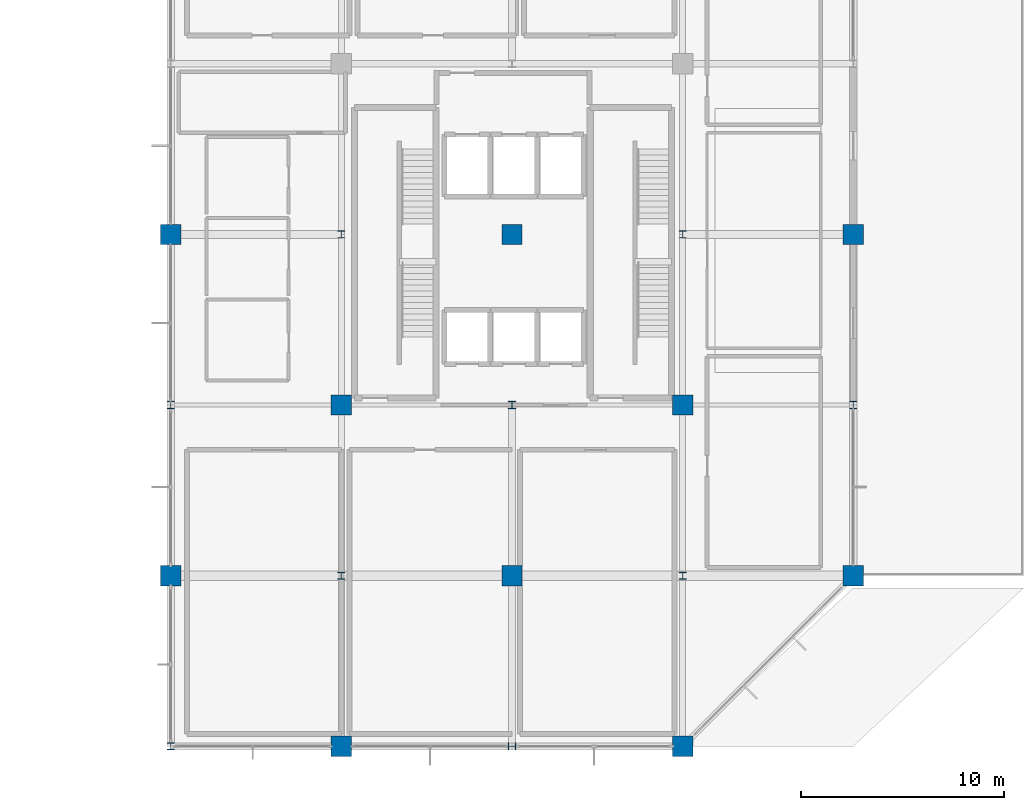
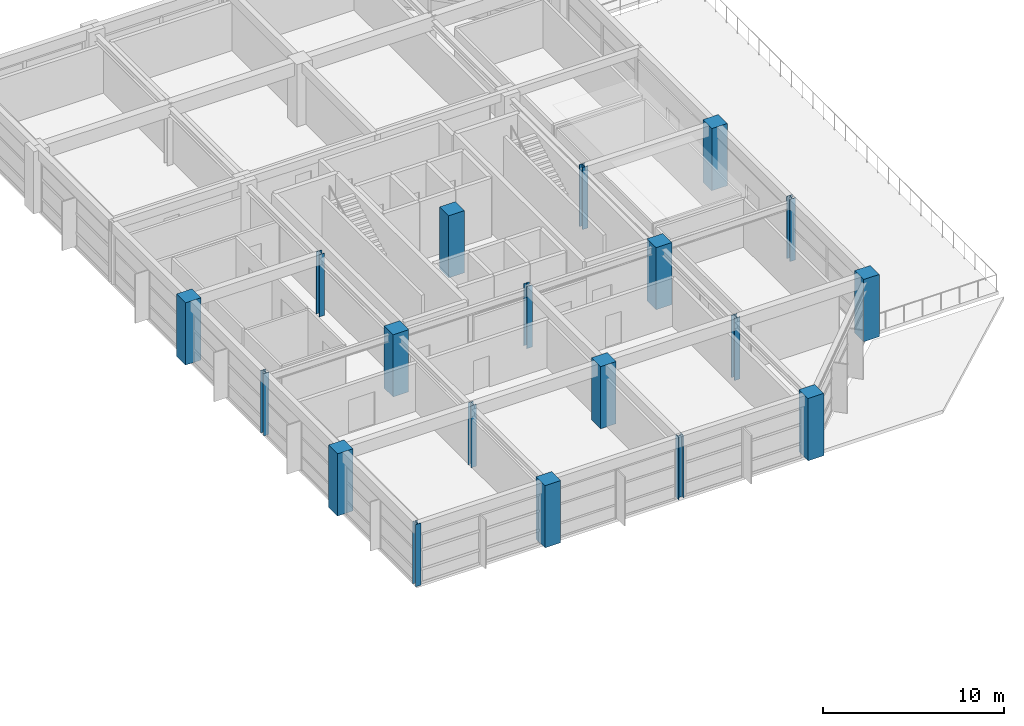
# One storey, part 1 of 21: 19 columns.
"""IFC4 building model written with IfcOpenShell, lengths in metres."""

from ifc_helpers import new_model, si_unit, direction, frame, origin, origin_2d, place, context, subcontext, project, spatial, rectangle, i_section, extrude, material, material_profile, profile_set, type_object, element, save


model = new_model("IFC4")

# Units and contexts
model_context = context("Model", 3, precision=1e-05, world=origin(), true_north=direction((0.0, 1.0)))
body_context = subcontext(model_context, "Body", "Model", "MODEL_VIEW")
ifc_project = project(units=[si_unit("LENGTHUNIT", "METRE"), si_unit("AREAUNIT", "SQUARE_METRE"), si_unit("VOLUMEUNIT", "CUBIC_METRE"), si_unit("PLANEANGLEUNIT", "RADIAN"), si_unit("MASSUNIT", "GRAM", prefix="KILO")], contexts=[model_context])

# Site, building, storey
site_placement = place(None, origin())
site = spatial("IfcSite", under=ifc_project, at=site_placement, CompositionType="ELEMENT")
building_placement = place(site_placement, origin())
building = spatial("IfcBuilding", under=site, at=building_placement, Name="Xuanlan Plaza Opera House", CompositionType="ELEMENT")
storey_placement = place(building_placement, frame((0.0, 0.0, 44.699951171875)))
storey = spatial("IfcBuildingStorey", under=building, at=storey_placement, Name="L10", CompositionType="ELEMENT", Elevation=44.699951171875)

# Columns
ifc_material_1 = material(Name="Concrete C50", Category="concrete")
ifc_material_profile_1 = material_profile(ifc_material_1, rectangle(XDim=1.0, YDim=1.0, at=origin_2d()), Name="RC-COL 1000x1000")
ifc_profile_set_1 = profile_set([ifc_material_profile_1], Name="Concrete C50")
column_type_1 = type_object("IfcColumnType", Name="STR-COL-C-04", PredefinedType="COLUMN", material=ifc_profile_set_1)
for number, where, z_axis, x_axis, name in (
    (1, (126.0, 42.0, 0.0), (0.0, 0.0, 1.0), (1.0, 0.0, 0.0), "Column L10 16-F"),
    (2, (126.0, 58.800048828125, 0.0), (0.0, 0.0, 1.0), (1.0, 0.0, 0.0), "Column L10 16-H"),
    (3, (134.39990234375, 33.60009765625, 0.0), (0.0, 0.0, 1.0), (1.0, 0.0, 0.0), "Column L10 17-E"),
    (4, (134.39990234375, 50.39990234375, 0.0), (0.0, 0.0, 1.0), (1.0, 0.0, 0.0), "Column L10 17-G"),
    (5, (142.800048828125, 42.0, 0.0), (0.0, 0.0, 1.0), (1.0, 0.0, 0.0), "Column L10 18-F"),
    (6, (142.800048828125, 58.800048828125, 0.0), (0.0, 0.0, 1.0), (1.0, 0.0, 0.0), "Column L10 18-H"),
    (7, (151.199951171875, 33.60009765625, 0.0), (0.0, 0.0, 1.0), (1.0, 0.0, 0.0), "Column L10 19-E"),
    (8, (151.199951171875, 50.39990234375, 0.0), (0.0, 0.0, 1.0), (1.0, 0.0, 0.0), "Column L10 19-G"),
    (9, (159.60009765625, 42.0, 0.0), (0.0, 0.0, 1.0), (1.0, 0.0, 0.0), "Column L10 20-F"),
    (10, (159.60009765625, 58.800048828125, 0.0), (0.0, 0.0, 1.0), (1.0, 0.0, 0.0), "Column L10 20-H"),
):
    element("IfcColumn", number, at=place(storey_placement, frame(where, z_axis=z_axis, x_axis=x_axis)), inside=storey, type_object=column_type_1, Name=name, PredefinedType="COLUMN", context=body_context, shape_type="SweptSolid", body=[
        extrude(rectangle(XDim=1.0, YDim=1.0, at=origin_2d()), origin(), (0.0, 0.0, 1.0), 4.199951171875),
    ])
ifc_material_2 = material(Name="Steel Q355B", Category="steel")
ifc_material_profile_2 = material_profile(ifc_material_2, i_section(OverallWidth=0.35009765625, OverallDepth=0.35009765625, WebThickness=0.011962890625, FlangeThickness=0.01904296875, FilletRadius=0.02001953125, at=origin_2d()), Name="HW 350x350x12x19")
ifc_profile_set_2 = profile_set([ifc_material_profile_2], Name="Steel Q355B")
column_type_2 = type_object("IfcColumnType", Name="STR-COL-C-15", PredefinedType="COLUMN", material=ifc_profile_set_2)
for number, where, z_axis, x_axis, name in (
    (11, (126.0, 33.60009765625, 0.0), (0.0, 0.0, 1.0), (1.0, 0.0, 0.0), "Column L10 16-E"),
    (12, (126.0, 50.39990234375, 0.0), (0.0, 0.0, 1.0), (1.0, 0.0, 0.0), "Column L10 16-G"),
    (13, (134.39990234375, 42.0, 0.0), (0.0, 0.0, 1.0), (1.0, 0.0, 0.0), "Column L10 17-F"),
    (14, (134.39990234375, 58.800048828125, 0.0), (0.0, 0.0, 1.0), (1.0, 0.0, 0.0), "Column L10 17-H"),
    (15, (142.800048828125, 33.60009765625, 0.0), (0.0, 0.0, 1.0), (0.0, 1.0, 0.0), "Column L10 18-E"),
    (16, (142.800048828125, 50.39990234375, 0.0), (0.0, 0.0, 1.0), (1.0, 0.0, 0.0), "Column L10 18-G"),
    (17, (151.199951171875, 42.0, 0.0), (0.0, 0.0, 1.0), (1.0, 0.0, 0.0), "Column L10 19-F"),
    (18, (151.199951171875, 58.800048828125, 0.0), (0.0, 0.0, 1.0), (1.0, 0.0, 0.0), "Column L10 19-H"),
    (19, (159.60009765625, 50.39990234375, 0.0), (0.0, 0.0, 1.0), (1.0, 0.0, 0.0), "Column L10 20-G"),
):
    element("IfcColumn", number, at=place(storey_placement, frame(where, z_axis=z_axis, x_axis=x_axis)), inside=storey, type_object=column_type_2, Name=name, PredefinedType="COLUMN", context=body_context, shape_type="SweptSolid", body=[
        extrude(i_section(OverallWidth=0.35009765625, OverallDepth=0.35009765625, WebThickness=0.011962890625, FlangeThickness=0.01904296875, FilletRadius=0.02001953125, at=origin_2d()), origin(), (0.0, 0.0, 1.0), 4.199951171875),
    ])

save(model, "model.ifc")
